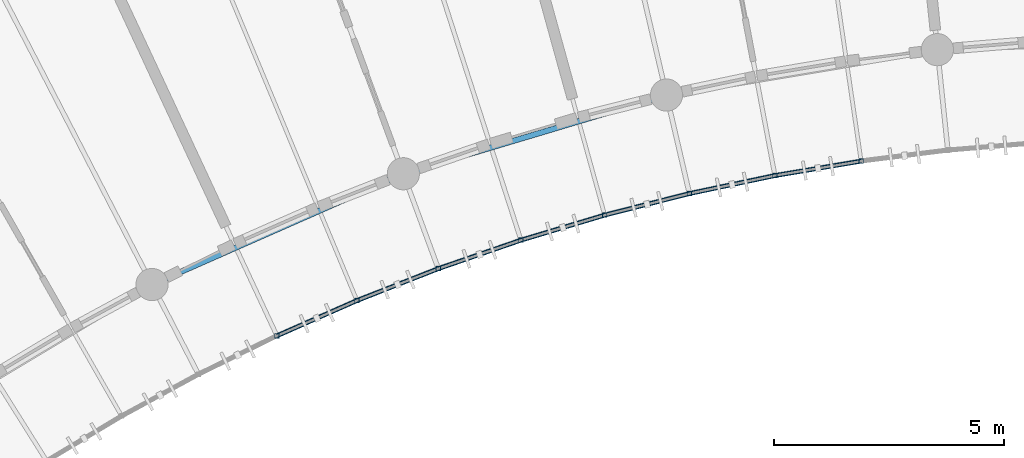
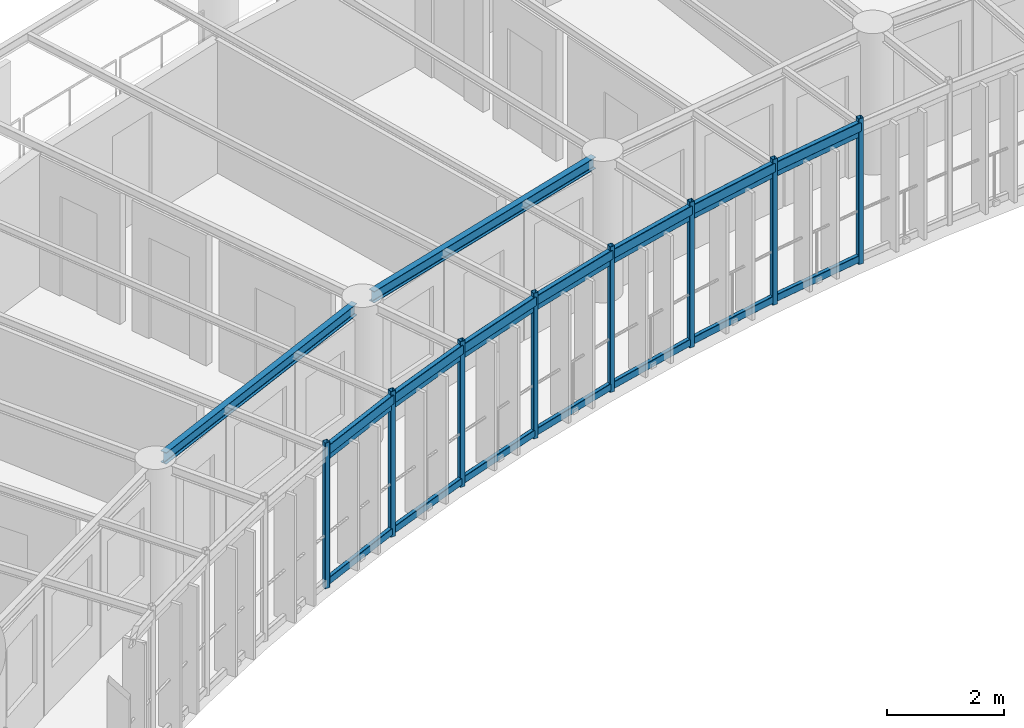
# One storey, part 48 of 137: 22 members, 9 beams.
"""IFC4 building model written with IfcOpenShell, lengths in metres."""

from ifc_helpers import new_model, si_unit, direction, frame, origin, origin_2d, place, context, subcontext, project, spatial, hollow_rectangle, i_section, extrude, material, material_profile, profile_set, type_object, element, save


model = new_model("IFC4")

# Units and contexts
model_context = context("Model", 3, precision=1e-05, world=origin(), true_north=direction((0.0, 1.0)))
body_context = subcontext(model_context, "Body", "Model", "MODEL_VIEW")
ifc_project = project(units=[si_unit("LENGTHUNIT", "METRE"), si_unit("AREAUNIT", "SQUARE_METRE"), si_unit("VOLUMEUNIT", "CUBIC_METRE"), si_unit("PLANEANGLEUNIT", "RADIAN"), si_unit("MASSUNIT", "GRAM", prefix="KILO"), si_unit("POWERUNIT", "WATT"), si_unit("THERMODYNAMICTEMPERATUREUNIT", "KELVIN")], contexts=[model_context])

# Site, building, storey
site_placement = place(None, origin())
site = spatial("IfcSite", under=ifc_project, at=site_placement, CompositionType="ELEMENT")
building_placement = place(site_placement, origin())
building = spatial("IfcBuilding", under=site, at=building_placement, Name="Ruvembo Vaulted Housing Court", CompositionType="ELEMENT")
storey_placement = place(building_placement, frame((0.0, 0.0, 4.5)))
storey = spatial("IfcBuildingStorey", under=building, at=storey_placement, Name="L01", CompositionType="ELEMENT", Elevation=4.5)

# Beams
ifc_material = material(Name="Steel S355J2", Category="steel")
ifc_material_profile_1 = material_profile(ifc_material, i_section(OverallWidth=0.1201171875, OverallDepth=0.239990234375, WebThickness=0.006103515625, FlangeThickness=0.009765625, FilletRadius=0.014892578125, at=origin_2d()), Name="IPE 240")
ifc_profile_set_1 = profile_set([ifc_material_profile_1], Name="Steel S355J2")
beam_type_1 = type_object("IfcBeamType", Name="BM-ST-IPE240", PredefinedType="BEAM", material=ifc_profile_set_1)
for number, where, z_axis, x_axis, name in (
    (1, (95.156982421875, 92.726806640625, 2.822021484375), (0.91508701691, 0.403256433901, 0.0), (-0.403256433901, 0.91508701691, 0.0), "Scoop SC3 L01 Chord Girder F3"),
    (2, (100.63330078125, 95.10888671875, 2.822021484375), (0.958083049786, 0.286490610164, 0.0), (-0.286490610164, 0.958083049786, 0.0), "Scoop SC3 L01 Chord Girder F6"),
):
    element("IfcBeam", number, at=place(storey_placement, frame(where, z_axis=z_axis, x_axis=x_axis)), inside=storey, type_object=beam_type_1, Name=name, PredefinedType="BEAM", context=body_context, shape_type="SweptSolid", body=[
        extrude(i_section(OverallWidth=0.1201171875, OverallDepth=0.239990234375, WebThickness=0.006103515625, FlangeThickness=0.009765625, FilletRadius=0.014892578125, at=origin_2d()), origin(), (0.0, 0.0, 1.0), 5.513671875),
    ])
ifc_material_profile_2 = material_profile(ifc_material, hollow_rectangle(XDim=0.10009765625, YDim=0.199951171875, WallThickness=0.008056640625, InnerFilletRadius=0.008056640625, OuterFilletRadius=0.01611328125, at=origin_2d()), Name="RHS 200x100x8")
ifc_profile_set_2 = profile_set([ifc_material_profile_2], Name="Steel S355J2")
beam_type_2 = type_object("IfcBeamType", Name="BM-ST-RHS200", PredefinedType="SPANDREL", material=ifc_profile_set_2)
for number, where, z_axis, x_axis, name in (
    (3, (97.663818359375, 91.51806640625, 2.840087890625), (0.91507815309, 0.403276547467, 0.0), (-0.403276547467, 0.91507815309, 0.0), "Scoop SC3 L01 Balcony Edge Spandrel 4"),
    (4, (99.4033203125, 92.28466796875, 2.840087890625), (0.931005720133, 0.365004587752, 0.0), (-0.365004587752, 0.931005720133, 0.0), "Scoop SC3 L01 Balcony Edge Spandrel 5"),
):
    element("IfcBeam", number, at=place(storey_placement, frame(where, z_axis=z_axis, x_axis=x_axis)), inside=storey, type_object=beam_type_2, Name=name, PredefinedType="SPANDREL", context=body_context, shape_type="SweptSolid", body=[
        extrude(hollow_rectangle(XDim=0.10009765625, YDim=0.199951171875, WallThickness=0.008056640625, InnerFilletRadius=0.008056640625, OuterFilletRadius=0.01611328125, at=origin_2d()), origin(), (0.0, 0.0, 1.0), 1.90087890625),
    ])
beam_1_placement = place(storey_placement, frame((101.173095703125, 92.978515625, 2.840087890625), z_axis=(0.945357969834, 0.326034214264, 0.0), x_axis=(-0.326034214264, 0.945357969834, 0.0)))
element("IfcBeam", 5, at=beam_1_placement, inside=storey, type_object=beam_type_2, Name="Scoop SC3 L01 Balcony Edge Spandrel 6", PredefinedType="SPANDREL", context=body_context, shape_type="SweptSolid", body=[
    extrude(hollow_rectangle(XDim=0.10009765625, YDim=0.199951171875, WallThickness=0.008056640625, InnerFilletRadius=0.008056640625, OuterFilletRadius=0.01611328125, at=origin_2d()), origin(), (0.0, 0.0, 1.0), 1.9013671875),
])
for number, where, z_axis, x_axis, name in (
    (6, (102.970458984375, 93.598388671875, 2.840087890625), (0.958108609181, 0.286405120439, 0.0), (-0.286405120439, 0.958108609181, 0.0), "Scoop SC3 L01 Balcony Edge Spandrel 7"),
    (7, (104.791748046875, 94.142822265625, 2.840087890625), (0.969121730429, 0.246582788553, 0.0), (-0.246582788553, 0.969121730429, 0.0), "Scoop SC3 L01 Balcony Edge Spandrel 8"),
):
    element("IfcBeam", number, at=place(storey_placement, frame(where, z_axis=z_axis, x_axis=x_axis)), inside=storey, type_object=beam_type_2, Name=name, PredefinedType="SPANDREL", context=body_context, shape_type="SweptSolid", body=[
        extrude(hollow_rectangle(XDim=0.10009765625, YDim=0.199951171875, WallThickness=0.008056640625, InnerFilletRadius=0.008056640625, OuterFilletRadius=0.01611328125, at=origin_2d()), origin(), (0.0, 0.0, 1.0), 1.90087890625),
    ])
beam_2_placement = place(storey_placement, frame((106.634033203125, 94.611572265625, 2.840087890625), z_axis=(0.978529342624, 0.206107558387, 0.0), x_axis=(-0.206107558387, 0.978529342624, 0.0)))
element("IfcBeam", 8, at=beam_2_placement, inside=storey, type_object=beam_type_2, Name="Scoop SC3 L01 Balcony Edge Spandrel 9", PredefinedType="SPANDREL", context=body_context, shape_type="SweptSolid", body=[
    extrude(hollow_rectangle(XDim=0.10009765625, YDim=0.199951171875, WallThickness=0.008056640625, InnerFilletRadius=0.008056640625, OuterFilletRadius=0.01611328125, at=origin_2d()), origin(), (0.0, 0.0, 1.0), 1.901123046875),
])
beam_3_placement = place(storey_placement, frame((108.494384765625, 95.00341796875, 2.840087890625), z_axis=(0.986265186139, 0.165169557153, 0.0), x_axis=(-0.165169557153, 0.986265186139, 0.0)))
element("IfcBeam", 9, at=beam_3_placement, inside=storey, type_object=beam_type_2, Name="Scoop SC3 L01 Balcony Edge Spandrel 10", PredefinedType="SPANDREL", context=body_context, shape_type="SweptSolid", body=[
    extrude(hollow_rectangle(XDim=0.10009765625, YDim=0.199951171875, WallThickness=0.008056640625, InnerFilletRadius=0.008056640625, OuterFilletRadius=0.01611328125, at=origin_2d()), origin(), (0.0, 0.0, 1.0), 1.90087890625),
])

# Members
ifc_material_profile_3 = material_profile(ifc_material, hollow_rectangle(XDim=0.06005859375, YDim=0.1201171875, WallThickness=0.0048828125, InnerFilletRadius=0.0048828125, OuterFilletRadius=0.010009765625, at=origin_2d()), Name="RHS 120x60x5")
ifc_profile_set_3 = profile_set([ifc_material_profile_3], Name="Steel S355J2")
member_type_1 = type_object("IfcMemberType", Name="MEM-CAR-RHS120", PredefinedType="CHORD", material=ifc_profile_set_3)
for number, where, z_axis, x_axis, name in (
    (10, (97.663818359375, 91.51806640625, 2.68310546875), (0.91507815309, 0.403276547467, 0.0), (-0.403276547467, 0.91507815309, 0.0), "Scoop SC3 L01 Upper Louvre Carrier Rail 4"),
    (11, (99.4033203125, 92.28466796875, 2.68310546875), (0.931005720133, 0.365004587752, 0.0), (-0.365004587752, 0.931005720133, 0.0), "Scoop SC3 L01 Upper Louvre Carrier Rail 5"),
):
    element("IfcMember", number, at=place(storey_placement, frame(where, z_axis=z_axis, x_axis=x_axis)), inside=storey, type_object=member_type_1, Name=name, PredefinedType="CHORD", context=body_context, shape_type="SweptSolid", body=[
        extrude(hollow_rectangle(XDim=0.06005859375, YDim=0.1201171875, WallThickness=0.0048828125, InnerFilletRadius=0.0048828125, OuterFilletRadius=0.010009765625, at=origin_2d()), origin(), (0.0, 0.0, 1.0), 1.90087890625),
    ])
member_1_placement = place(storey_placement, frame((101.173095703125, 92.978515625, 2.68310546875), z_axis=(0.945357969834, 0.326034214264, 0.0), x_axis=(-0.326034214264, 0.945357969834, 0.0)))
element("IfcMember", 12, at=member_1_placement, inside=storey, type_object=member_type_1, Name="Scoop SC3 L01 Upper Louvre Carrier Rail 6", PredefinedType="CHORD", context=body_context, shape_type="SweptSolid", body=[
    extrude(hollow_rectangle(XDim=0.06005859375, YDim=0.1201171875, WallThickness=0.0048828125, InnerFilletRadius=0.0048828125, OuterFilletRadius=0.010009765625, at=origin_2d()), origin(), (0.0, 0.0, 1.0), 1.9013671875),
])
for number, where, z_axis, x_axis, name in (
    (13, (102.970458984375, 93.598388671875, 2.68310546875), (0.958108609181, 0.286405120439, 0.0), (-0.286405120439, 0.958108609181, 0.0), "Scoop SC3 L01 Upper Louvre Carrier Rail 7"),
    (14, (104.791748046875, 94.142822265625, 2.68310546875), (0.969121730429, 0.246582788553, 0.0), (-0.246582788553, 0.969121730429, 0.0), "Scoop SC3 L01 Upper Louvre Carrier Rail 8"),
):
    element("IfcMember", number, at=place(storey_placement, frame(where, z_axis=z_axis, x_axis=x_axis)), inside=storey, type_object=member_type_1, Name=name, PredefinedType="CHORD", context=body_context, shape_type="SweptSolid", body=[
        extrude(hollow_rectangle(XDim=0.06005859375, YDim=0.1201171875, WallThickness=0.0048828125, InnerFilletRadius=0.0048828125, OuterFilletRadius=0.010009765625, at=origin_2d()), origin(), (0.0, 0.0, 1.0), 1.90087890625),
    ])
member_2_placement = place(storey_placement, frame((106.634033203125, 94.611572265625, 2.68310546875), z_axis=(0.978529342624, 0.206107558387, 0.0), x_axis=(-0.206107558387, 0.978529342624, 0.0)))
element("IfcMember", 15, at=member_2_placement, inside=storey, type_object=member_type_1, Name="Scoop SC3 L01 Upper Louvre Carrier Rail 9", PredefinedType="CHORD", context=body_context, shape_type="SweptSolid", body=[
    extrude(hollow_rectangle(XDim=0.06005859375, YDim=0.1201171875, WallThickness=0.0048828125, InnerFilletRadius=0.0048828125, OuterFilletRadius=0.010009765625, at=origin_2d()), origin(), (0.0, 0.0, 1.0), 1.901123046875),
])
member_3_placement = place(storey_placement, frame((108.494384765625, 95.00341796875, 2.68310546875), z_axis=(0.986265186139, 0.165169557153, 0.0), x_axis=(-0.165169557153, 0.986265186139, 0.0)))
element("IfcMember", 16, at=member_3_placement, inside=storey, type_object=member_type_1, Name="Scoop SC3 L01 Upper Louvre Carrier Rail 10", PredefinedType="CHORD", context=body_context, shape_type="SweptSolid", body=[
    extrude(hollow_rectangle(XDim=0.06005859375, YDim=0.1201171875, WallThickness=0.0048828125, InnerFilletRadius=0.0048828125, OuterFilletRadius=0.010009765625, at=origin_2d()), origin(), (0.0, 0.0, 1.0), 1.90087890625),
])
ifc_material_profile_4 = material_profile(ifc_material, hollow_rectangle(XDim=0.080078125, YDim=0.14990234375, WallThickness=0.00634765625, InnerFilletRadius=0.00634765625, OuterFilletRadius=0.0126953125, at=origin_2d()), Name="RHS 150x80x6.3")
ifc_profile_set_4 = profile_set([ifc_material_profile_4], Name="Steel S355J2")
member_type_2 = type_object("IfcMemberType", Name="MEM-CAR-RHS150", PredefinedType="CHORD", material=ifc_profile_set_4)
for number, where, z_axis, x_axis, name in (
    (17, (97.663818359375, 91.51806640625, 0.094970703125), (0.91507815309, 0.403276547467, 0.0), (-0.403276547467, 0.91507815309, 0.0), "Scoop SC3 L01 Lower Louvre Carrier Rail 4"),
    (18, (99.4033203125, 92.28466796875, 0.094970703125), (0.931005720133, 0.365004587752, 0.0), (-0.365004587752, 0.931005720133, 0.0), "Scoop SC3 L01 Lower Louvre Carrier Rail 5"),
):
    element("IfcMember", number, at=place(storey_placement, frame(where, z_axis=z_axis, x_axis=x_axis)), inside=storey, type_object=member_type_2, Name=name, PredefinedType="CHORD", context=body_context, shape_type="SweptSolid", body=[
        extrude(hollow_rectangle(XDim=0.080078125, YDim=0.14990234375, WallThickness=0.00634765625, InnerFilletRadius=0.00634765625, OuterFilletRadius=0.0126953125, at=origin_2d()), origin(), (0.0, 0.0, 1.0), 1.90087890625),
    ])
member_4_placement = place(storey_placement, frame((101.173095703125, 92.978515625, 0.094970703125), z_axis=(0.945357969834, 0.326034214264, 0.0), x_axis=(-0.326034214264, 0.945357969834, 0.0)))
element("IfcMember", 19, at=member_4_placement, inside=storey, type_object=member_type_2, Name="Scoop SC3 L01 Lower Louvre Carrier Rail 6", PredefinedType="CHORD", context=body_context, shape_type="SweptSolid", body=[
    extrude(hollow_rectangle(XDim=0.080078125, YDim=0.14990234375, WallThickness=0.00634765625, InnerFilletRadius=0.00634765625, OuterFilletRadius=0.0126953125, at=origin_2d()), origin(), (0.0, 0.0, 1.0), 1.9013671875),
])
for number, where, z_axis, x_axis, name in (
    (20, (102.970458984375, 93.598388671875, 0.094970703125), (0.958108609181, 0.286405120439, 0.0), (-0.286405120439, 0.958108609181, 0.0), "Scoop SC3 L01 Lower Louvre Carrier Rail 7"),
    (21, (104.791748046875, 94.142822265625, 0.094970703125), (0.969121730429, 0.246582788553, 0.0), (-0.246582788553, 0.969121730429, 0.0), "Scoop SC3 L01 Lower Louvre Carrier Rail 8"),
):
    element("IfcMember", number, at=place(storey_placement, frame(where, z_axis=z_axis, x_axis=x_axis)), inside=storey, type_object=member_type_2, Name=name, PredefinedType="CHORD", context=body_context, shape_type="SweptSolid", body=[
        extrude(hollow_rectangle(XDim=0.080078125, YDim=0.14990234375, WallThickness=0.00634765625, InnerFilletRadius=0.00634765625, OuterFilletRadius=0.0126953125, at=origin_2d()), origin(), (0.0, 0.0, 1.0), 1.90087890625),
    ])
member_5_placement = place(storey_placement, frame((106.634033203125, 94.611572265625, 0.094970703125), z_axis=(0.978529342624, 0.206107558387, 0.0), x_axis=(-0.206107558387, 0.978529342624, 0.0)))
element("IfcMember", 22, at=member_5_placement, inside=storey, type_object=member_type_2, Name="Scoop SC3 L01 Lower Louvre Carrier Rail 9", PredefinedType="CHORD", context=body_context, shape_type="SweptSolid", body=[
    extrude(hollow_rectangle(XDim=0.080078125, YDim=0.14990234375, WallThickness=0.00634765625, InnerFilletRadius=0.00634765625, OuterFilletRadius=0.0126953125, at=origin_2d()), origin(), (0.0, 0.0, 1.0), 1.901123046875),
])
member_6_placement = place(storey_placement, frame((108.494384765625, 95.00341796875, 0.094970703125), z_axis=(0.986265186139, 0.165169557153, 0.0), x_axis=(-0.165169557153, 0.986265186139, 0.0)))
element("IfcMember", 23, at=member_6_placement, inside=storey, type_object=member_type_2, Name="Scoop SC3 L01 Lower Louvre Carrier Rail 10", PredefinedType="CHORD", context=body_context, shape_type="SweptSolid", body=[
    extrude(hollow_rectangle(XDim=0.080078125, YDim=0.14990234375, WallThickness=0.00634765625, InnerFilletRadius=0.00634765625, OuterFilletRadius=0.0126953125, at=origin_2d()), origin(), (0.0, 0.0, 1.0), 1.90087890625),
])
ifc_material_profile_5 = material_profile(ifc_material, hollow_rectangle(XDim=0.10009765625, YDim=0.10009765625, WallThickness=0.00634765625, InnerFilletRadius=0.00634765625, OuterFilletRadius=0.0126953125, at=origin_2d()), Name="SHS 100x100x6.3")
ifc_profile_set_5 = profile_set([ifc_material_profile_5], Name="Steel S355J2")
member_type_3 = type_object("IfcMemberType", Name="MEM-FRM-SHS100", PredefinedType="STRUT", material=ifc_profile_set_5)
for number, where, z_axis, x_axis, name in (
    (24, (97.663818359375, 91.51806640625, -0.014892578125), (0.0, 0.0, 1.0), (1.0, 0.0, 0.0), "Scoop SC3 L01 Louvre Frame Post 4"),
    (25, (99.4033203125, 92.28466796875, -0.014892578125), (0.0, 0.0, 1.0), (1.0, 0.0, 0.0), "Scoop SC3 L01 Louvre Frame Post 5"),
    (26, (101.173095703125, 92.978515625, -0.014892578125), (0.0, 0.0, 1.0), (1.0, 0.0, 0.0), "Scoop SC3 L01 Louvre Frame Post 6"),
    (27, (102.970458984375, 93.598388671875, -0.014892578125), (0.0, 0.0, 1.0), (1.0, 0.0, 0.0), "Scoop SC3 L01 Louvre Frame Post 7"),
    (28, (104.791748046875, 94.142822265625, -0.014892578125), (0.0, 0.0, 1.0), (1.0, 0.0, 0.0), "Scoop SC3 L01 Louvre Frame Post 8"),
    (29, (106.634033203125, 94.611572265625, -0.014892578125), (0.0, 0.0, 1.0), (1.0, 0.0, 0.0), "Scoop SC3 L01 Louvre Frame Post 9"),
    (30, (108.494384765625, 95.00341796875, -0.014892578125), (0.0, 0.0, 1.0), (1.0, 0.0, 0.0), "Scoop SC3 L01 Louvre Frame Post 10"),
    (31, (110.369140625, 95.3173828125, -0.014892578125), (0.0, 0.0, 1.0), (1.0, 0.0, 0.0), "Scoop SC3 L01 Louvre Frame Post 11"),
):
    element("IfcMember", number, at=place(storey_placement, frame(where, z_axis=z_axis, x_axis=x_axis)), inside=storey, type_object=member_type_3, Name=name, PredefinedType="STRUT", context=body_context, shape_type="SweptSolid", body=[
        extrude(hollow_rectangle(XDim=0.10009765625, YDim=0.10009765625, WallThickness=0.00634765625, InnerFilletRadius=0.00634765625, OuterFilletRadius=0.0126953125, at=origin_2d()), origin(), (0.0, 0.0, 1.0), 3.032958984375),
    ])

save(model, "model.ifc")
